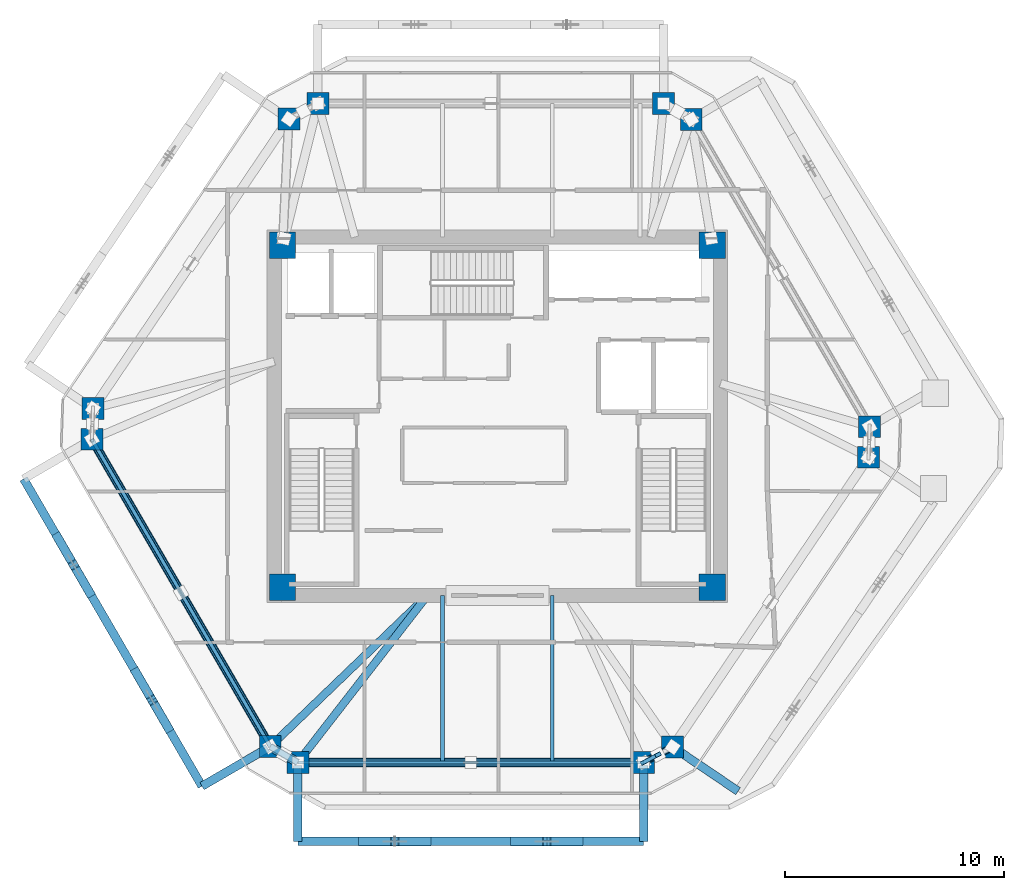
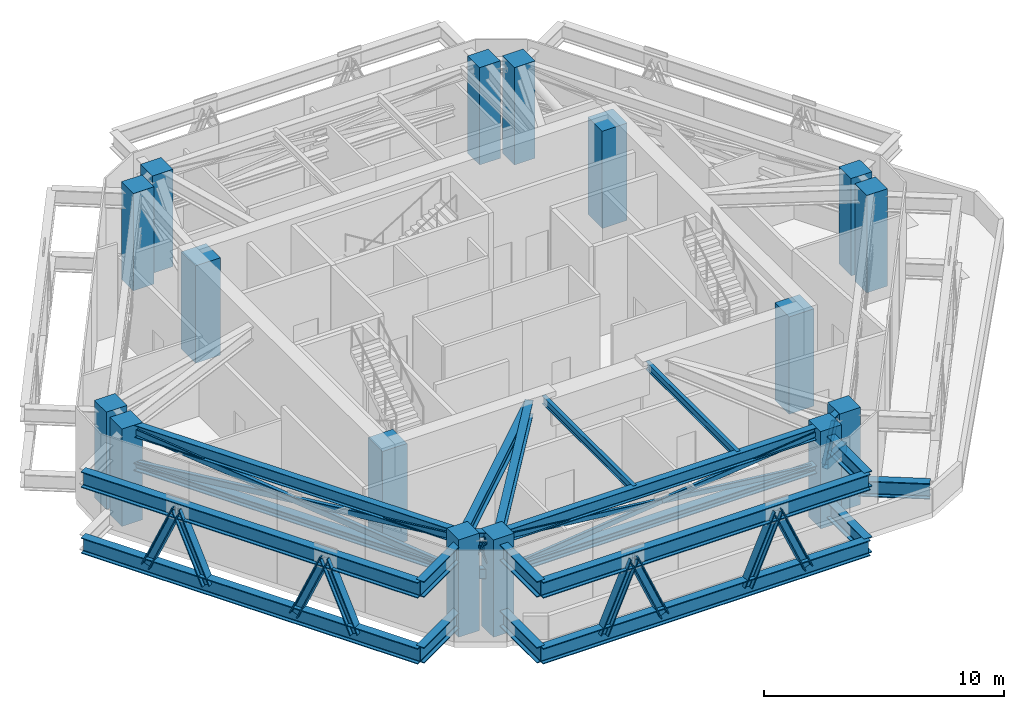
# One storey, part 1 of 10: 21 members, 19 beams, 16 columns.
"""IFC4 building model written with IfcOpenShell, lengths in metres."""

from ifc_helpers import new_model, si_unit, direction, frame, origin, origin_2d, place, context, subcontext, project, spatial, rectangle, hollow_rectangle, i_section, extrude, source, transform, mapped, material, material_profile, profile_set, type_object, type_shapes, element, save


model = new_model("IFC4")

# Units and contexts
model_context = context("Model", 3, precision=1e-05, world=origin(), true_north=direction((0.0, 1.0)))
body_context = subcontext(model_context, "Body", "Model", "MODEL_VIEW")
ifc_project = project(units=[si_unit("LENGTHUNIT", "METRE"), si_unit("AREAUNIT", "SQUARE_METRE"), si_unit("VOLUMEUNIT", "CUBIC_METRE"), si_unit("PLANEANGLEUNIT", "RADIAN"), si_unit("MASSUNIT", "GRAM", prefix="KILO")], contexts=[model_context])

# Site, building, storey
site_placement = place(None, origin())
site = spatial("IfcSite", under=ifc_project, at=site_placement, CompositionType="ELEMENT")
building_placement = place(site_placement, origin())
building = spatial("IfcBuilding", under=site, at=building_placement, Name="Durnholm Broadcast Tower", CompositionType="ELEMENT")
storey_placement = place(building_placement, frame((0.0, 0.0, 213.39990234375)))
storey = spatial("IfcBuildingStorey", under=building, at=storey_placement, Name="L59", CompositionType="ELEMENT", Elevation=213.39990234375)

# Columns
ifc_material_1 = material(Name="Concrete C70/85", Category="concrete")
ifc_material_profile_1 = material_profile(ifc_material_1, rectangle(XDim=1.199951171875, YDim=1.199951171875, at=origin_2d()), Name="RC1200X1200")
ifc_profile_set_1 = profile_set([ifc_material_profile_1], Name="Concrete C70/85")
column_type_1 = type_object("IfcColumnType", Name="COL-CC-1200", PredefinedType="COLUMN", material=ifc_profile_set_1)
shared_shape_1 = source(origin(), body_context, "Body", "SweptSolid", [
    extrude(rectangle(XDim=1.199951171875, YDim=1.199951171875, at=origin_2d()), origin(), (0.0, 0.0, 1.0), 4.9599609375),
])
type_shapes(column_type_1, [shared_shape_1])
for number, where, z_axis, x_axis, name in (
    (1, (-9.800048828125, -7.800048828125, -0.2998046875), (0.0, 0.0, 1.0), (1.0, 0.0, 0.0), "L59 core corner column 1"),
    (2, (9.800048828125, -7.800048828125, -0.2998046875), (0.0, 0.0, 1.0), (1.0, 0.0, 0.0), "L59 core corner column 2"),
    (3, (9.800048828125, 7.800048828125, -0.2998046875), (0.0, 0.0, 1.0), (1.0, 0.0, 0.0), "L59 core corner column 3"),
    (4, (-9.800048828125, 7.800048828125, -0.2998046875), (0.0, 0.0, 1.0), (1.0, 0.0, 0.0), "L59 core corner column 4"),
):
    element("IfcColumn", number, at=place(storey_placement, frame(where, z_axis=z_axis, x_axis=x_axis)), inside=storey, type_object=column_type_1, Name=name, PredefinedType="COLUMN", context=body_context, shape_type="MappedRepresentation", body=[
        mapped(shared_shape_1, transform((0.0, 0.0, 0.0), x_axis=(1.0, 0.0, 0.0), y_axis=(0.0, 1.0, 0.0), z_axis=(0.0, 0.0, 1.0), scale=1.0)),
    ])
ifc_material_profile_2 = material_profile(ifc_material_1, rectangle(XDim=1.0, YDim=1.0, at=origin_2d()), Name="RC1000X1000")
ifc_profile_set_2 = profile_set([ifc_material_profile_2], Name="Concrete C70/85")
column_type_2 = type_object("IfcColumnType", Name="COL-CC-1000", PredefinedType="COLUMN", material=ifc_profile_set_2)
shared_shape_2 = source(origin(), body_context, "Body", "SweptSolid", [
    extrude(rectangle(XDim=1.0, YDim=1.0, at=origin_2d()), origin(), (0.0, 0.0, 1.0), 4.9599609375),
])
type_shapes(column_type_2, [shared_shape_2])
for number, where, z_axis, x_axis, name in (
    (5, (-10.361328125, -15.061767578125, -0.2998046875), (0.0, 0.0, 1.0), (1.0, 0.0, 0.0), "L59 perimeter hexagonal tube column 01"),
    (6, (-18.494384765625, -1.0478515625, -0.2998046875), (0.0, 0.0, 1.0), (1.0, 0.0, 0.0), "L59 perimeter hexagonal tube column 02"),
    (7, (-18.4462890625, 0.345947265625, -0.2998046875), (0.0, 0.0, 1.0), (1.0, 0.0, 0.0), "L59 perimeter hexagonal tube column 03"),
    (8, (-9.514892578125, 13.557373046875, -0.2998046875), (0.0, 0.0, 1.0), (1.0, 0.0, 0.0), "L59 perimeter hexagonal tube column 04"),
    (9, (-8.187744140625, 14.261962890625, -0.2998046875), (0.0, 0.0, 1.0), (1.0, 0.0, 0.0), "L59 perimeter hexagonal tube column 05"),
    (10, (7.57958984375, 14.261962890625, -0.2998046875), (0.0, 0.0, 1.0), (1.0, 0.0, 0.0), "L59 perimeter hexagonal tube column 06"),
    (11, (8.83740234375, 13.53759765625, -0.2998046875), (0.0, 0.0, 1.0), (1.0, 0.0, 0.0), "L59 perimeter hexagonal tube column 07"),
    (12, (16.97021484375, -0.47607421875, -0.2998046875), (0.0, 0.0, 1.0), (1.0, 0.0, 0.0), "L59 perimeter hexagonal tube column 08"),
    (13, (16.92236328125, -1.869873046875, -0.2998046875), (0.0, 0.0, 1.0), (1.0, 0.0, 0.0), "L59 perimeter hexagonal tube column 09"),
    (14, (7.990966796875, -15.081298828125, -0.2998046875), (0.0, 0.0, 1.0), (1.0, 0.0, 0.0), "L59 perimeter hexagonal tube column 10"),
    (15, (6.663818359375, -15.785888671875, -0.2998046875), (0.0, 0.0, 1.0), (1.0, 0.0, 0.0), "L59 perimeter hexagonal tube column 11"),
    (16, (-9.103759765625, -15.785888671875, -0.2998046875), (0.0, 0.0, 1.0), (1.0, 0.0, 0.0), "L59 perimeter hexagonal tube column 12"),
):
    element("IfcColumn", number, at=place(storey_placement, frame(where, z_axis=z_axis, x_axis=x_axis)), inside=storey, type_object=column_type_2, Name=name, PredefinedType="COLUMN", context=body_context, shape_type="MappedRepresentation", body=[
        mapped(shared_shape_2, transform((0.0, 0.0, 0.0), x_axis=(1.0, 0.0, 0.0), y_axis=(0.0, 1.0, 0.0), z_axis=(0.0, 0.0, 1.0), scale=1.0)),
    ])

# Beams
ifc_material_2 = material(Name="Steel ASTM A992 Grade 50", Category="steel")
ifc_material_profile_3 = material_profile(ifc_material_2, i_section(OverallWidth=0.385009765625, OverallDepth=0.802978515625, WebThickness=0.023681640625, FlangeThickness=0.0419921875, FilletRadius=0.032958984375, at=origin_2d()), Name="W30X261")
ifc_profile_set_3 = profile_set([ifc_material_profile_3], Name="Steel ASTM A992 Grade 50")
beam_type_1 = type_object("IfcBeamType", Name="BM-EXO-TIE", PredefinedType="USERDEFINED", material=ifc_profile_set_3)
shared_shape_3 = source(origin(), body_context, "Body", "SweptSolid", [
    extrude(i_section(OverallWidth=0.385009765625, OverallDepth=0.802978515625, WebThickness=0.023681640625, FlangeThickness=0.0419921875, FilletRadius=0.032958984375, at=origin_2d()), origin(), (0.0, 0.0, 1.0), 3.4560546875),
])
for number, where, z_axis, x_axis, name in (
    (17, (-9.103759765625, -15.929931640625, 0.550048828125), (0.0, -1.0, 0.0), (1.0, 0.0, 0.0), "L59 zone-base exoskeleton stand-off tie bracket F1.1"),
    (18, (6.663818359375, -15.929931640625, 0.550048828125), (0.0, -1.0, 0.0), (1.0, 0.0, 0.0), "L59 zone-base exoskeleton stand-off tie bracket F1.2"),
    (19, (-9.103759765625, -15.929931640625, 3.90869140625), (0.0, -1.0, 0.0), (1.0, 0.0, 0.0), "L59 exoskeleton stand-off tie bracket F1.1"),
    (20, (6.663818359375, -15.929931640625, 3.90869140625), (0.0, -1.0, 0.0), (1.0, 0.0, 0.0), "L59 exoskeleton stand-off tie bracket F1.2"),
    (21, (8.110107421875, -15.161865234375, 0.550048828125), (0.828468499792, -0.560035663911, 0.0), (0.560035663911, 0.828468499792, 0.0), "L59 zone-base exoskeleton stand-off tie bracket F2.1"),
    (22, (-10.48583984375, -15.134033203125, 0.550048828125), (-0.864924479231, -0.501902027518, 0.0), (0.501902027518, -0.864924479231, 0.0), "L59 zone-base exoskeleton stand-off tie bracket F6.2"),
    (23, (-10.48583984375, -15.134033203125, 3.90869140625), (-0.864924479231, -0.501902027518, 0.0), (0.501902027518, -0.864924479231, 0.0), "L59 exoskeleton stand-off tie bracket F6.2"),
):
    element("IfcBeam", number, at=place(storey_placement, frame(where, z_axis=z_axis, x_axis=x_axis)), inside=storey, type_object=beam_type_1, Name=name, ObjectType="GIRDER", PredefinedType="USERDEFINED", context=body_context, shape_type="MappedRepresentation", body=[
        mapped(shared_shape_3, transform((0.0, 0.0, 0.0), x_axis=(1.0, 0.0, 0.0), y_axis=(0.0, 1.0, 0.0), z_axis=(0.0, 0.0, 1.0), scale=1.0)),
    ])
ifc_material_profile_4 = material_profile(ifc_material_2, i_section(OverallWidth=0.3251953125, OverallDepth=0.6162109375, WebThickness=0.013916015625, FlangeThickness=0.021484375, FilletRadius=0.02783203125, at=origin_2d()), Name="W24X117")
ifc_profile_set_4 = profile_set([ifc_material_profile_4], Name="Steel ASTM A992 Grade 50")
beam_type_2 = type_object("IfcBeamType", Name="STL-SP-W24X117", PredefinedType="SPANDREL", material=ifc_profile_set_4)
shared_shape_4 = source(origin(), body_context, "Body", "SweptSolid", [
    extrude(i_section(OverallWidth=0.3251953125, OverallDepth=0.6162109375, WebThickness=0.013916015625, FlangeThickness=0.021484375, FilletRadius=0.02783203125, at=origin_2d()), origin(), (0.0, 0.0, 1.0), 16.202880859375),
])
beam_1_placement = place(storey_placement, frame((-10.361328125, -15.061767578125, 4.3369140625), z_axis=(-0.501948303381, 0.864897624423, 0.0), x_axis=(-0.864897624423, -0.501948303381, 0.0)))
element("IfcBeam", 24, at=beam_1_placement, inside=storey, type_object=beam_type_2, Name="L59 perimeter spandrel girder 01", PredefinedType="SPANDREL", context=body_context, shape_type="MappedRepresentation", body=[
    mapped(shared_shape_4, transform((0.0, 0.0, 0.0), x_axis=(1.0, 0.0, 0.0), y_axis=(0.0, 1.0, 0.0), z_axis=(0.0, 0.0, 1.0), scale=1.0)),
])
shared_shape_5 = source(origin(), body_context, "Body", "SweptSolid", [
    extrude(i_section(OverallWidth=0.3251953125, OverallDepth=0.6162109375, WebThickness=0.013916015625, FlangeThickness=0.021484375, FilletRadius=0.02783203125, at=origin_2d()), origin(), (0.0, 0.0, 1.0), 1.502685546875),
])
beam_2_placement = place(storey_placement, frame((7.990966796875, -15.081298828125, 4.3369140625), z_axis=(-0.883241909673, -0.468917614296, 0.0), x_axis=(0.468917614296, -0.883241909673, 0.0)))
element("IfcBeam", 25, at=beam_2_placement, inside=storey, type_object=beam_type_2, Name="L59 perimeter spandrel girder 10", PredefinedType="SPANDREL", context=body_context, shape_type="MappedRepresentation", body=[
    mapped(shared_shape_5, transform((0.0, 0.0, 0.0), x_axis=(1.0, 0.0, 0.0), y_axis=(0.0, 1.0, 0.0), z_axis=(0.0, 0.0, 1.0), scale=1.0)),
])
shared_shape_6 = source(origin(), body_context, "Body", "SweptSolid", [
    extrude(i_section(OverallWidth=0.3251953125, OverallDepth=0.6162109375, WebThickness=0.013916015625, FlangeThickness=0.021484375, FilletRadius=0.02783203125, at=origin_2d()), origin(), (0.0, 0.0, 1.0), 15.767578125),
])
beam_3_placement = place(storey_placement, frame((6.663818359375, -15.785888671875, 4.3369140625), z_axis=(-1.0, 0.0, 0.0), x_axis=(0.0, -1.0, 0.0)))
element("IfcBeam", 26, at=beam_3_placement, inside=storey, type_object=beam_type_2, Name="L59 perimeter spandrel girder 11", PredefinedType="SPANDREL", context=body_context, shape_type="MappedRepresentation", body=[
    mapped(shared_shape_6, transform((0.0, 0.0, 0.0), x_axis=(1.0, 0.0, 0.0), y_axis=(0.0, 1.0, 0.0), z_axis=(0.0, 0.0, 1.0), scale=1.0)),
])
shared_shape_7 = source(origin(), body_context, "Body", "SweptSolid", [
    extrude(i_section(OverallWidth=0.3251953125, OverallDepth=0.6162109375, WebThickness=0.013916015625, FlangeThickness=0.021484375, FilletRadius=0.02783203125, at=origin_2d()), origin(), (0.0, 0.0, 1.0), 1.451171875),
])
type_shapes(beam_type_2, [shared_shape_4, shared_shape_5, shared_shape_6, shared_shape_7])
beam_4_placement = place(storey_placement, frame((-9.103759765625, -15.785888671875, 4.3369140625), z_axis=(-0.866602615509, 0.498998904601, 0.0), x_axis=(-0.498998904601, -0.866602615509, 0.0)))
element("IfcBeam", 27, at=beam_4_placement, inside=storey, type_object=beam_type_2, Name="L59 perimeter spandrel girder 12", PredefinedType="SPANDREL", context=body_context, shape_type="MappedRepresentation", body=[
    mapped(shared_shape_7, transform((0.0, 0.0, 0.0), x_axis=(1.0, 0.0, 0.0), y_axis=(0.0, 1.0, 0.0), z_axis=(0.0, 0.0, 1.0), scale=1.0)),
])
ifc_material_profile_5 = material_profile(ifc_material_2, i_section(OverallWidth=0.3564453125, OverallDepth=0.713623046875, WebThickness=0.01904296875, FlangeThickness=0.033935546875, FilletRadius=0.030517578125, at=origin_2d()), Name="W27X194")
ifc_profile_set_5 = profile_set([ifc_material_profile_5], Name="Steel ASTM A992 Grade 50")
beam_type_3 = type_object("IfcBeamType", Name="STL-GR-W27X194", PredefinedType="USERDEFINED", material=ifc_profile_set_5)
shared_shape_8 = source(origin(), body_context, "Body", "SweptSolid", [
    extrude(i_section(OverallWidth=0.3564453125, OverallDepth=0.713623046875, WebThickness=0.01904296875, FlangeThickness=0.033935546875, FilletRadius=0.030517578125, at=origin_2d()), origin(), (0.0, 0.0, 1.0), 9.935302734375),
])
beam_5_placement = place(storey_placement, frame((-3.199951171875, -8.175048828125, 4.288330078125), z_axis=(-0.720793871932, -0.693149474634, 0.0), x_axis=(0.693149474634, -0.720793871932, 0.0)))
element("IfcBeam", 28, at=beam_5_placement, inside=storey, type_object=beam_type_3, Name="L59 radial primary floor girder 01", ObjectType="GIRDER", PredefinedType="USERDEFINED", context=body_context, shape_type="MappedRepresentation", body=[
    mapped(shared_shape_8, transform((0.0, 0.0, 0.0), x_axis=(1.0, 0.0, 0.0), y_axis=(0.0, 1.0, 0.0), z_axis=(0.0, 0.0, 1.0), scale=1.0)),
])
shared_shape_9 = source(origin(), body_context, "Body", "SweptSolid", [
    extrude(i_section(OverallWidth=0.3564453125, OverallDepth=0.713623046875, WebThickness=0.01904296875, FlangeThickness=0.033935546875, FilletRadius=0.030517578125, at=origin_2d()), origin(), (0.0, 0.0, 1.0), 9.63232421875),
])
type_shapes(beam_type_3, [shared_shape_8, shared_shape_9])
beam_6_placement = place(storey_placement, frame((-3.199951171875, -8.175048828125, 4.288330078125), z_axis=(-0.61292235488, -0.79014314329, 0.0), x_axis=(0.79014314329, -0.61292235488, 0.0)))
element("IfcBeam", 29, at=beam_6_placement, inside=storey, type_object=beam_type_3, Name="L59 radial primary floor girder 12", ObjectType="GIRDER", PredefinedType="USERDEFINED", context=body_context, shape_type="MappedRepresentation", body=[
    mapped(shared_shape_9, transform((0.0, 0.0, 0.0), x_axis=(1.0, 0.0, 0.0), y_axis=(0.0, 1.0, 0.0), z_axis=(0.0, 0.0, 1.0), scale=1.0)),
])
ifc_material_profile_6 = material_profile(ifc_material_2, i_section(OverallWidth=0.177734375, OverallDepth=0.40673828125, WebThickness=0.0078125, FlangeThickness=0.0126953125, FilletRadius=0.01904296875, at=origin_2d()), Name="W16X40")
ifc_profile_set_6 = profile_set([ifc_material_profile_6], Name="Steel ASTM A992 Grade 50")
beam_type_4 = type_object("IfcBeamType", Name="STL-BJ-W16X40", PredefinedType="JOIST", material=ifc_profile_set_6)
shared_shape_10 = source(origin(), body_context, "Body", "SweptSolid", [
    extrude(i_section(OverallWidth=0.177734375, OverallDepth=0.40673828125, WebThickness=0.0078125, FlangeThickness=0.0126953125, FilletRadius=0.01904296875, at=origin_2d()), origin(), (0.0, 0.0, 1.0), 7.61083984375),
])
type_shapes(beam_type_4, [shared_shape_10])
for number, where, z_axis, x_axis, name in (
    (30, (-2.5, -15.785888671875, 4.44189453125), (0.0, 1.0, 0.0), (-1.0, 0.0, 0.0), "L59 secondary floor joist 5.1"),
    (31, (2.5, -15.785888671875, 4.44189453125), (0.0, 1.0, 0.0), (-1.0, 0.0, 0.0), "L59 secondary floor joist 6.1"),
):
    element("IfcBeam", number, at=place(storey_placement, frame(where, z_axis=z_axis, x_axis=x_axis)), inside=storey, type_object=beam_type_4, Name=name, PredefinedType="JOIST", context=body_context, shape_type="MappedRepresentation", body=[
        mapped(shared_shape_10, transform((0.0, 0.0, 0.0), x_axis=(1.0, 0.0, 0.0), y_axis=(0.0, 1.0, 0.0), z_axis=(0.0, 0.0, 1.0), scale=1.0)),
    ])

# Members
ifc_material_profile_7 = material_profile(ifc_material_2, i_section(OverallWidth=0.4013671875, OverallDepth=0.3994140625, WebThickness=0.02490234375, FlangeThickness=0.03955078125, FilletRadius=0.030517578125, at=origin_2d()), Name="W14X211")
ifc_profile_set_7 = profile_set([ifc_material_profile_7], Name="Steel ASTM A992 Grade 50")
member_type_1 = type_object("IfcMemberType", Name="STL-TC-W14X211", PredefinedType="CHORD", material=ifc_profile_set_7)
shared_shape_11 = source(origin(), body_context, "Body", "SweptSolid", [
    extrude(i_section(OverallWidth=0.4013671875, OverallDepth=0.3994140625, WebThickness=0.02490234375, FlangeThickness=0.03955078125, FilletRadius=0.030517578125, at=origin_2d()), origin(), (0.0, 0.0, 1.0), 16.202880859375),
])
member_1_placement = place(storey_placement, frame((-10.361328125, -15.061767578125, 2.550048828125), z_axis=(-0.501948303381, 0.864897624423, 0.0), x_axis=(-0.864897624423, -0.501948303381, 0.0)))
element("IfcMember", 32, at=member_1_placement, inside=storey, type_object=member_type_1, Name="L59 perimeter belt-truss bottom chord 01", PredefinedType="CHORD", context=body_context, shape_type="MappedRepresentation", body=[
    mapped(shared_shape_11, transform((0.0, 0.0, 0.0), x_axis=(1.0, 0.0, 0.0), y_axis=(0.0, 1.0, 0.0), z_axis=(0.0, 0.0, 1.0), scale=1.0)),
])
ifc_material_3 = material(Name="Steel ASTM A500 Grade C", Category="steel")
ifc_material_profile_8 = material_profile(ifc_material_3, hollow_rectangle(XDim=0.203125, YDim=0.3046875, WallThickness=0.01171875, InnerFilletRadius=0.017578125, OuterFilletRadius=0.029541015625, at=origin_2d()), Name="HSS12X8X1/2")
ifc_profile_set_8 = profile_set([ifc_material_profile_8], Name="Steel ASTM A500 Grade C")
member_type_2 = type_object("IfcMemberType", Name="STL-TB-HSS12X8", PredefinedType="BRACE", material=ifc_profile_set_8)
shared_shape_12 = source(origin(), body_context, "Body", "SweptSolid", [
    extrude(hollow_rectangle(XDim=0.203125, YDim=0.3046875, WallThickness=0.01171875, InnerFilletRadius=0.017578125, OuterFilletRadius=0.029541015625, at=origin_2d()), origin(), (0.0, 0.0, 1.0), 16.29833984375),
])
member_2_placement = place(storey_placement, frame((-10.361328125, -15.061767578125, 2.550048828125), z_axis=(-0.499013040337, 0.859839928209, 0.107987422562), x_axis=(-0.864897624423, -0.501948303381, 0.0)))
element("IfcMember", 33, at=member_2_placement, inside=storey, type_object=member_type_2, Name="L59 belt-truss continuous X-diagonal brace 01", PredefinedType="BRACE", context=body_context, shape_type="MappedRepresentation", body=[
    mapped(shared_shape_12, transform((0.0, 0.0, 0.0), x_axis=(1.0, 0.0, 0.0), y_axis=(0.0, 1.0, 0.0), z_axis=(0.0, 0.0, 1.0), scale=1.0)),
])
shared_shape_13 = source(origin(), body_context, "Body", "SweptSolid", [
    extrude(hollow_rectangle(XDim=0.203125, YDim=0.3046875, WallThickness=0.01171875, InnerFilletRadius=0.017578125, OuterFilletRadius=0.029541015625, at=origin_2d()), origin(), (0.0, 0.0, 1.0), 8.149169921875),
])
for number, where, z_axis, x_axis, name in (
    (34, (-18.494384765625, -1.0478515625, 2.550048828125), (0.499029909736, -0.859828204924, 0.108002811106), (0.864887286486, 0.501966116063, 0.0), "L59 belt-truss split X-diagonal segment 01.1"),
    (35, (-14.427734375, -8.0546875, 3.43017578125), (0.498996170738, -0.859851650838, 0.107972034062), (0.86490796188, 0.501930490682, 0.0), "L59 belt-truss split X-diagonal segment 01.2"),
):
    element("IfcMember", number, at=place(storey_placement, frame(where, z_axis=z_axis, x_axis=x_axis)), inside=storey, type_object=member_type_2, Name=name, PredefinedType="BRACE", context=body_context, shape_type="MappedRepresentation", body=[
        mapped(shared_shape_13, transform((0.0, 0.0, 0.0), x_axis=(1.0, 0.0, 0.0), y_axis=(0.0, 1.0, 0.0), z_axis=(0.0, 0.0, 1.0), scale=1.0)),
    ])
ifc_material_profile_9 = material_profile(ifc_material_3, hollow_rectangle(XDim=0.3046875, YDim=0.508056640625, WallThickness=0.014892578125, InnerFilletRadius=0.022216796875, OuterFilletRadius=0.037109375, at=origin_2d()), Name="HSS20X12X5/8")
ifc_profile_set_9 = profile_set([ifc_material_profile_9], Name="Steel ASTM A500 Grade C")
member_type_3 = type_object("IfcMemberType", Name="STL-TC-HSS20X12", PredefinedType="CHORD", material=ifc_profile_set_9)
shared_shape_14 = source(origin(), body_context, "Body", "SweptSolid", [
    extrude(hollow_rectangle(XDim=0.3046875, YDim=0.508056640625, WallThickness=0.014892578125, InnerFilletRadius=0.022216796875, OuterFilletRadius=0.037109375, at=origin_2d()), origin(), (0.0, 0.0, 1.0), 1.502685546875),
])
member_3_placement = place(storey_placement, frame((7.990966796875, -15.081298828125, 2.550048828125), z_axis=(-0.883241909673, -0.468917614296, 0.0), x_axis=(0.468917614296, -0.883241909673, 0.0)))
element("IfcMember", 36, at=member_3_placement, inside=storey, type_object=member_type_3, Name="L59 perimeter belt-truss bottom chord 10", PredefinedType="CHORD", context=body_context, shape_type="MappedRepresentation", body=[
    mapped(shared_shape_14, transform((0.0, 0.0, 0.0), x_axis=(1.0, 0.0, 0.0), y_axis=(0.0, 1.0, 0.0), z_axis=(0.0, 0.0, 1.0), scale=1.0)),
])
shared_shape_15 = source(origin(), body_context, "Body", "SweptSolid", [
    extrude(hollow_rectangle(XDim=0.203125, YDim=0.3046875, WallThickness=0.01171875, InnerFilletRadius=0.017578125, OuterFilletRadius=0.029541015625, at=origin_2d()), origin(), (0.0, 0.0, 1.0), 1.91357421875),
])
type_shapes(member_type_2, [shared_shape_12, shared_shape_13, shared_shape_15])
member_4_placement = place(storey_placement, frame((6.663818359375, -15.785888671875, 2.550048828125), z_axis=(0.346757432484, 0.184095281484, 0.919710938476), x_axis=(-0.468917614296, 0.883241909673, 0.0)))
element("IfcMember", 37, at=member_4_placement, inside=storey, type_object=member_type_2, Name="L59 belt-truss chevron brace 10.2", PredefinedType="BRACE", context=body_context, shape_type="MappedRepresentation", body=[
    mapped(shared_shape_15, transform((0.0, 0.0, 0.0), x_axis=(1.0, 0.0, 0.0), y_axis=(0.0, 1.0, 0.0), z_axis=(0.0, 0.0, 1.0), scale=1.0)),
])
ifc_material_profile_10 = material_profile(ifc_material_3, hollow_rectangle(XDim=0.15234375, YDim=0.25390625, WallThickness=0.0087890625, InnerFilletRadius=0.013427734375, OuterFilletRadius=0.022216796875, at=origin_2d()), Name="HSS10X6X3/8")
ifc_profile_set_10 = profile_set([ifc_material_profile_10], Name="Steel ASTM A500 Grade C")
member_type_4 = type_object("IfcMemberType", Name="STL-TB-HSS10X6", PredefinedType="BRACE", material=ifc_profile_set_10)
shared_shape_16 = source(origin(), body_context, "Body", "SweptSolid", [
    extrude(hollow_rectangle(XDim=0.15234375, YDim=0.25390625, WallThickness=0.0087890625, InnerFilletRadius=0.013427734375, OuterFilletRadius=0.022216796875, at=origin_2d()), origin(), (0.0, 0.0, 1.0), 7.9326171875),
])
member_5_placement = place(storey_placement, frame((-1.219970703125, -15.785888671875, 3.43017578125), z_axis=(0.99382956939, 0.0, 0.110917929149), x_axis=(0.0, 1.0, 0.0)))
element("IfcMember", 38, at=member_5_placement, inside=storey, type_object=member_type_4, Name="L59 belt-truss split X-diagonal segment 11.2", PredefinedType="BRACE", context=body_context, shape_type="MappedRepresentation", body=[
    mapped(shared_shape_16, transform((0.0, 0.0, 0.0), x_axis=(1.0, 0.0, 0.0), y_axis=(0.0, 1.0, 0.0), z_axis=(0.0, 0.0, 1.0), scale=1.0)),
])
ifc_material_4 = material(Name="Steel ASTM A913 Grade 65", Category="steel")
ifc_material_profile_11 = material_profile(ifc_material_4, i_section(OverallWidth=0.412109375, OverallDepth=0.434814453125, WebThickness=0.035888671875, FlangeThickness=0.057373046875, FilletRadius=0.030517578125, at=origin_2d()), Name="W14X311")
ifc_profile_set_11 = profile_set([ifc_material_profile_11], Name="Steel ASTM A913 Grade 65")
member_type_5 = type_object("IfcMemberType", Name="STL-DG-W14X311", PredefinedType="BRACE", material=ifc_profile_set_11)
shared_shape_17 = source(origin(), body_context, "Body", "SweptSolid", [
    extrude(i_section(OverallWidth=0.412109375, OverallDepth=0.434814453125, WebThickness=0.035888671875, FlangeThickness=0.057373046875, FilletRadius=0.030517578125, at=origin_2d()), origin(), (0.0, 0.0, 1.0), 1.90380859375),
])
member_6_placement = place(storey_placement, frame((-10.361328125, -15.061767578125, 2.550048828125), z_axis=(0.33035213611, -0.190183314383, 0.924498660409), x_axis=(0.49892616093, 0.866644498015, 0.0)))
element("IfcMember", 39, at=member_6_placement, inside=storey, type_object=member_type_5, Name="L59 belt-truss chevron brace 12.2", PredefinedType="BRACE", context=body_context, shape_type="MappedRepresentation", body=[
    mapped(shared_shape_17, transform((0.0, 0.0, 0.0), x_axis=(1.0, 0.0, 0.0), y_axis=(0.0, 1.0, 0.0), z_axis=(0.0, 0.0, 1.0), scale=1.0)),
])
shared_shape_18 = source(origin(), body_context, "Body", "SweptSolid", [
    extrude(i_section(OverallWidth=0.4013671875, OverallDepth=0.3994140625, WebThickness=0.02490234375, FlangeThickness=0.03955078125, FilletRadius=0.030517578125, at=origin_2d()), origin(), (0.0, 0.0, 1.0), 15.767578125),
])
type_shapes(member_type_1, [shared_shape_11, shared_shape_18])
member_7_placement = place(storey_placement, frame((6.663818359375, -15.785888671875, 2.550048828125), z_axis=(-1.0, 0.0, 0.0), x_axis=(0.0, -1.0, 0.0)))
element("IfcMember", 40, at=member_7_placement, inside=storey, type_object=member_type_1, Name="L59 perimeter belt-truss bottom chord 11", PredefinedType="CHORD", context=body_context, shape_type="MappedRepresentation", body=[
    mapped(shared_shape_18, transform((0.0, 0.0, 0.0), x_axis=(1.0, 0.0, 0.0), y_axis=(0.0, 1.0, 0.0), z_axis=(0.0, 0.0, 1.0), scale=1.0)),
])
shared_shape_19 = source(origin(), body_context, "Body", "SweptSolid", [
    extrude(hollow_rectangle(XDim=0.15234375, YDim=0.25390625, WallThickness=0.0087890625, InnerFilletRadius=0.013427734375, OuterFilletRadius=0.022216796875, at=origin_2d()), origin(), (0.0, 0.0, 1.0), 15.865478515625),
])
member_8_placement = place(storey_placement, frame((6.663818359375, -15.785888671875, 2.550048828125), z_axis=(-0.993827872984, 0.0, 0.110933127963), x_axis=(0.0, -1.0, 0.0)))
element("IfcMember", 41, at=member_8_placement, inside=storey, type_object=member_type_4, Name="L59 belt-truss continuous X-diagonal brace 11", PredefinedType="BRACE", context=body_context, shape_type="MappedRepresentation", body=[
    mapped(shared_shape_19, transform((0.0, 0.0, 0.0), x_axis=(1.0, 0.0, 0.0), y_axis=(0.0, 1.0, 0.0), z_axis=(0.0, 0.0, 1.0), scale=1.0)),
])
shared_shape_20 = source(origin(), body_context, "Body", "SweptSolid", [
    extrude(hollow_rectangle(XDim=0.15234375, YDim=0.25390625, WallThickness=0.0087890625, InnerFilletRadius=0.013427734375, OuterFilletRadius=0.022216796875, at=origin_2d()), origin(), (0.0, 0.0, 1.0), 7.932861328125),
])
type_shapes(member_type_4, [shared_shape_16, shared_shape_19, shared_shape_20])
member_9_placement = place(storey_placement, frame((-9.103759765625, -15.785888671875, 2.550048828125), z_axis=(0.993826176352, 0.0, 0.110948326699), x_axis=(0.0, 1.0, 0.0)))
element("IfcMember", 42, at=member_9_placement, inside=storey, type_object=member_type_4, Name="L59 belt-truss split X-diagonal segment 11.1", PredefinedType="BRACE", context=body_context, shape_type="MappedRepresentation", body=[
    mapped(shared_shape_20, transform((0.0, 0.0, 0.0), x_axis=(1.0, 0.0, 0.0), y_axis=(0.0, 1.0, 0.0), z_axis=(0.0, 0.0, 1.0), scale=1.0)),
])
shared_shape_21 = source(origin(), body_context, "Body", "SweptSolid", [
    extrude(hollow_rectangle(XDim=0.3046875, YDim=0.508056640625, WallThickness=0.014892578125, InnerFilletRadius=0.022216796875, OuterFilletRadius=0.037109375, at=origin_2d()), origin(), (0.0, 0.0, 1.0), 1.451171875),
])
type_shapes(member_type_3, [shared_shape_14, shared_shape_21])
member_10_placement = place(storey_placement, frame((-9.103759765625, -15.785888671875, 2.550048828125), z_axis=(-0.866602615509, 0.498998904601, 0.0), x_axis=(-0.498998904601, -0.866602615509, 0.0)))
element("IfcMember", 43, at=member_10_placement, inside=storey, type_object=member_type_3, Name="L59 perimeter belt-truss bottom chord 12", PredefinedType="CHORD", context=body_context, shape_type="MappedRepresentation", body=[
    mapped(shared_shape_21, transform((0.0, 0.0, 0.0), x_axis=(1.0, 0.0, 0.0), y_axis=(0.0, 1.0, 0.0), z_axis=(0.0, 0.0, 1.0), scale=1.0)),
])
shared_shape_22 = source(origin(), body_context, "Body", "SweptSolid", [
    extrude(i_section(OverallWidth=0.412109375, OverallDepth=0.434814453125, WebThickness=0.035888671875, FlangeThickness=0.057373046875, FilletRadius=0.030517578125, at=origin_2d()), origin(), (0.0, 0.0, 1.0), 1.903564453125),
])
type_shapes(member_type_5, [shared_shape_17, shared_shape_22])
member_11_placement = place(storey_placement, frame((-9.103759765625, -15.785888671875, 2.550048828125), z_axis=(-0.330237881967, 0.190191370469, 0.924537821786), x_axis=(-0.499071665969, -0.86656071468, 0.0)))
element("IfcMember", 44, at=member_11_placement, inside=storey, type_object=member_type_5, Name="L59 belt-truss chevron brace 12.1", PredefinedType="BRACE", context=body_context, shape_type="MappedRepresentation", body=[
    mapped(shared_shape_22, transform((0.0, 0.0, 0.0), x_axis=(1.0, 0.0, 0.0), y_axis=(0.0, 1.0, 0.0), z_axis=(0.0, 0.0, 1.0), scale=1.0)),
])

# Beams
shared_shape_23 = source(origin(), body_context, "Body", "SweptSolid", [
    extrude(i_section(OverallWidth=0.385009765625, OverallDepth=0.802978515625, WebThickness=0.023681640625, FlangeThickness=0.0419921875, FilletRadius=0.032958984375, at=origin_2d()), origin(), (0.0, 0.0, 1.0), 15.767578125),
])
for number, where, z_axis, x_axis, name in (
    (45, (-9.103759765625, -19.385986328125, 0.550048828125), (1.0, 0.0, 0.0), (0.0, 1.0, 0.0), "L59 zone-base exoskeleton collector spandrel F1"),
    (46, (-9.103759765625, -19.385986328125, 3.90869140625), (1.0, 0.0, 0.0), (0.0, 1.0, 0.0), "L59 exoskeleton collector spandrel F1"),
):
    element("IfcBeam", number, at=place(storey_placement, frame(where, z_axis=z_axis, x_axis=x_axis)), inside=storey, type_object=beam_type_1, Name=name, PredefinedType="SPANDREL", context=body_context, shape_type="MappedRepresentation", body=[
        mapped(shared_shape_23, transform((0.0, 0.0, 0.0), x_axis=(1.0, 0.0, 0.0), y_axis=(0.0, 1.0, 0.0), z_axis=(0.0, 0.0, 1.0), scale=1.0)),
    ])

# Members
ifc_material_profile_12 = material_profile(ifc_material_4, i_section(OverallWidth=0.40625, OverallDepth=0.416015625, WebThickness=0.02978515625, FlangeThickness=0.048095703125, FilletRadius=0.030517578125, at=origin_2d()), Name="W14X257")
ifc_profile_set_12 = profile_set([ifc_material_profile_12], Name="Steel ASTM A913 Grade 65")
member_type_6 = type_object("IfcMemberType", Name="STL-DG-W14X257", PredefinedType="BRACE", material=ifc_profile_set_12)
shared_shape_24 = source(origin(), body_context, "Body", "SweptSolid", [
    extrude(i_section(OverallWidth=0.40625, OverallDepth=0.416015625, WebThickness=0.02978515625, FlangeThickness=0.048095703125, FilletRadius=0.030517578125, at=origin_2d()), origin(), (0.0, 0.0, 1.0), 3.66162109375),
])
for number, where, z_axis, x_axis, name in (
    (47, (-6.14697265625, -19.385986328125, 0.550048828125), (0.398260382622, 0.0, 0.91727240645), (0.0, 1.0, 0.0), "L59 stand-off diagrid brace F1.D1.1"),
    (48, (0.79052734375, -19.385986328125, 0.550048828125), (0.398260382622, 0.0, 0.91727240645), (0.0, 1.0, 0.0), "L59 stand-off diagrid brace F1.D2.1"),
    (49, (3.70703125, -19.385986328125, 0.550048828125), (-0.398260382622, 0.0, 0.91727240645), (0.0, -1.0, 0.0), "L59 stand-off diagrid brace F1.D2.2"),
    (50, (-18.5986328125, -8.0400390625, 0.550048828125), (-0.199961505006, 0.344448527796, 0.91726256231), (-0.864833498681, -0.50205878098, 0.0), "L59 stand-off diagrid brace F6.D1.2"),
    (51, (-16.484130859375, -11.68359375, 0.550048828125), (0.199897493681, -0.344453119532, 0.917274790052), (0.864906184135, 0.501933554014, 0.0), "L59 stand-off diagrid brace F6.D2.1"),
    (52, (-15.020263671875, -14.2060546875, 0.550048828125), (-0.199897493681, 0.344453119532, 0.917274790052), (-0.864906184135, -0.501933554014, 0.0), "L59 stand-off diagrid brace F6.D2.2"),
):
    element("IfcMember", number, at=place(storey_placement, frame(where, z_axis=z_axis, x_axis=x_axis)), inside=storey, type_object=member_type_6, Name=name, PredefinedType="BRACE", context=body_context, shape_type="MappedRepresentation", body=[
        mapped(shared_shape_24, transform((0.0, 0.0, 0.0), x_axis=(1.0, 0.0, 0.0), y_axis=(0.0, 1.0, 0.0), z_axis=(0.0, 0.0, 1.0), scale=1.0)),
    ])
shared_shape_25 = source(origin(), body_context, "Body", "SweptSolid", [
    extrude(i_section(OverallWidth=0.40625, OverallDepth=0.416015625, WebThickness=0.02978515625, FlangeThickness=0.048095703125, FilletRadius=0.030517578125, at=origin_2d()), origin(), (0.0, 0.0, 1.0), 3.661376953125),
])
type_shapes(member_type_6, [shared_shape_24, shared_shape_25])
for number, where, z_axis, x_axis, name in (
    (53, (-3.230712890625, -19.385986328125, 0.550048828125), (-0.398204279303, 0.0, 0.917296763291), (0.0, -1.0, 0.0), "L59 stand-off diagrid brace F1.D1.2"),
    (54, (-20.0625, -5.517578125, 0.550048828125), (0.199833479797, -0.344457709921, 0.917287014205), (0.864978863669, 0.501808295473, 0.0), "L59 stand-off diagrid brace F6.D1.1"),
):
    element("IfcMember", number, at=place(storey_placement, frame(where, z_axis=z_axis, x_axis=x_axis)), inside=storey, type_object=member_type_6, Name=name, PredefinedType="BRACE", context=body_context, shape_type="MappedRepresentation", body=[
        mapped(shared_shape_25, transform((0.0, 0.0, 0.0), x_axis=(1.0, 0.0, 0.0), y_axis=(0.0, 1.0, 0.0), z_axis=(0.0, 0.0, 1.0), scale=1.0)),
    ])

# Beams
shared_shape_26 = source(origin(), body_context, "Body", "SweptSolid", [
    extrude(i_section(OverallWidth=0.385009765625, OverallDepth=0.802978515625, WebThickness=0.023681640625, FlangeThickness=0.0419921875, FilletRadius=0.032958984375, at=origin_2d()), origin(), (0.0, 0.0, 1.0), 16.20263671875),
])
type_shapes(beam_type_1, [shared_shape_3, shared_shape_23, shared_shape_26])
for number, where, z_axis, x_axis, name in (
    (55, (-21.60791015625, -2.85498046875, 0.550048828125), (0.501943573333, -0.864900369516, 0.0), (0.864900369516, 0.501943573333, 0.0), "L59 zone-base exoskeleton collector spandrel F6"),
    (56, (-21.60791015625, -2.85498046875, 3.90869140625), (0.501943573333, -0.864900369516, 0.0), (0.864900369516, 0.501943573333, 0.0), "L59 exoskeleton collector spandrel F6"),
):
    element("IfcBeam", number, at=place(storey_placement, frame(where, z_axis=z_axis, x_axis=x_axis)), inside=storey, type_object=beam_type_1, Name=name, PredefinedType="SPANDREL", context=body_context, shape_type="MappedRepresentation", body=[
        mapped(shared_shape_26, transform((0.0, 0.0, 0.0), x_axis=(1.0, 0.0, 0.0), y_axis=(0.0, 1.0, 0.0), z_axis=(0.0, 0.0, 1.0), scale=1.0)),
    ])

save(model, "model.ifc")
